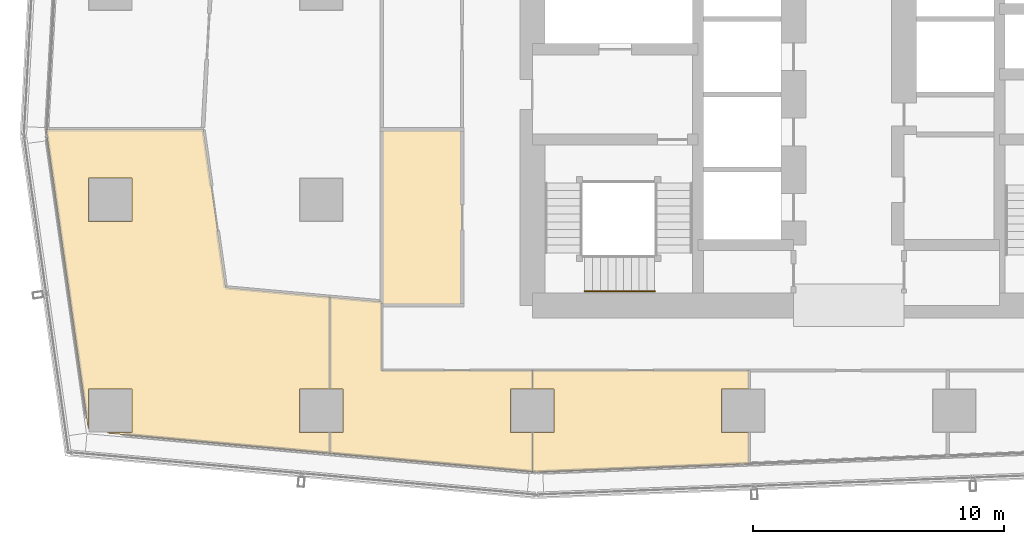
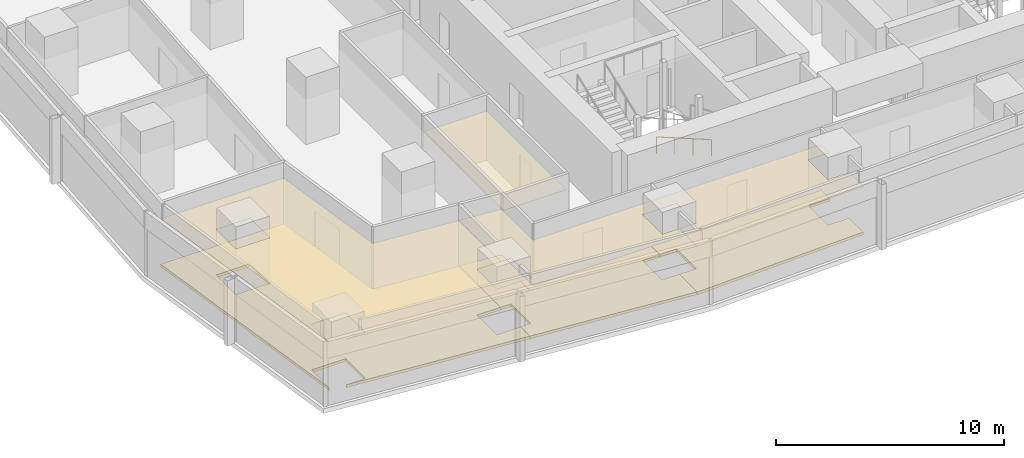
# One storey, part 33 of 40: 7 coverings, 1 railing.
"""IFC4 building model written with IfcOpenShell, lengths in metres."""

import ifcopenshell
import ifcopenshell.guid

model = None  # the IFC model being written
_history = None  # IfcOwnerHistory: only IFC2X3 demands one
_inside = {}  # id of a spatial element -> (the spatial element, [elements in it])
_under = {}  # id of a project, library or spatial element -> (it, [spatial elements below it])
_declared = {}  # id of a project -> (the project, [libraries it declares])
_typed = {}  # id of a type object -> (the type object, [elements of that type])
_made_of = {}  # id of a material, layer set ... -> (it, [elements and type objects made of it])


def new_model(schema):
    """Start an empty IFC model of exactly this schema.

    Asked for "IFC4X3", IfcOpenShell would pick the latest addendum, in which some entities
    have other attributes; the version numbers below select the first issue.
    IFC2X3 requires an IfcOwnerHistory on every rooted entity: one is made here for all.
    """
    global model, _history
    if schema == "IFC4X3":
        model = ifcopenshell.file(schema_version=(4, 3, 0, 0))
    else:
        model = ifcopenshell.file(schema=schema)
    _inside.clear()
    _under.clear()
    _declared.clear()
    _typed.clear()
    _made_of.clear()
    _history = None
    if model.schema == "IFC2X3":
        org = make("IfcOrganization", Name="unknown")
        user = make(
            "IfcPersonAndOrganization",
            ThePerson=make("IfcPerson", FamilyName="unknown"),
            TheOrganization=org,
        )
        app = make(
            "IfcApplication",
            ApplicationDeveloper=org,
            Version="unknown",
            ApplicationFullName="unknown",
            ApplicationIdentifier="unknown",
        )
        _history = make(
            "IfcOwnerHistory",
            OwningUser=user,
            OwningApplication=app,
            ChangeAction="ADDED",
            CreationDate=0,
        )
    return model


def make(cls, **values):
    """One entity of the class cls with the attributes given. An attribute that is None is left unset."""
    return model.create_entity(
        cls, **{name: value for name, value in values.items() if value is not None}
    )


def rooted(cls, **values):
    """An entity with a GlobalId (a new one), such as an element, a storey or a relation."""
    return make(cls, GlobalId=ifcopenshell.guid.new(), OwnerHistory=_history, **values)


def si_unit(unit_type, name, prefix=None):
    """IfcSIUnit, for example si_unit("LENGTHUNIT", "METRE", prefix="MILLI")."""
    return make("IfcSIUnit", UnitType=unit_type, Prefix=prefix, Name=name)


def assignment(units):
    """IfcUnitAssignment: the units of a project."""
    return None if units is None else make("IfcUnitAssignment", Units=units)


def point(xyz):
    """IfcCartesianPoint."""
    return None if xyz is None else make("IfcCartesianPoint", Coordinates=xyz)


def direction(xyz):
    """IfcDirection."""
    return None if xyz is None else make("IfcDirection", DirectionRatios=xyz)


def frame(location, z_axis=None, x_axis=None):
    """IfcAxis2Placement3D, a coordinate frame: its origin and axes. An axis left out is left unset."""
    return make(
        "IfcAxis2Placement3D",
        Location=point(location),
        Axis=direction(z_axis),
        RefDirection=direction(x_axis),
    )


def frame_2d(location, x_axis=None):
    """IfcAxis2Placement2D, a coordinate frame in the plane: its origin and x axis."""
    return make(
        "IfcAxis2Placement2D", Location=point(location), RefDirection=direction(x_axis)
    )


def origin():
    """The frame at (0, 0, 0) with its axes left unset."""
    return frame((0.0, 0.0, 0.0))


def origin_2d():
    """The frame at (0, 0) in the plane with its x axis left unset."""
    return frame_2d((0.0, 0.0))


def place(relative_to, where):
    """IfcLocalPlacement: puts the frame where relative to a parent placement (None: the world)."""
    return make(
        "IfcLocalPlacement", PlacementRelTo=relative_to, RelativePlacement=where
    )


def context(
    kind, dimensions, precision=None, world=None, true_north=None, identifier=None
):
    """IfcGeometricRepresentationContext, for example the 3D "Model" context."""
    return make(
        "IfcGeometricRepresentationContext",
        ContextIdentifier=identifier,
        ContextType=kind,
        CoordinateSpaceDimension=dimensions,
        Precision=precision,
        WorldCoordinateSystem=world,
        TrueNorth=true_north,
    )


def subcontext(parent, identifier, kind, view, scale=None):
    """IfcGeometricRepresentationSubContext, for example "Body" below "Model"."""
    return make(
        "IfcGeometricRepresentationSubContext",
        ContextIdentifier=identifier,
        ContextType=kind,
        ParentContext=parent,
        TargetScale=scale,
        TargetView=view,
    )


def project(units=None, contexts=None):
    """IfcProject with its units and contexts."""
    return rooted(
        "IfcProject",
        Name="project",
        RepresentationContexts=contexts,
        UnitsInContext=assignment(units),
    )


def spatial(cls, under=None, at=None, **own):
    """A site, building, storey or space (cls), placed at a placement, below another one or the project."""
    s = rooted(cls, ObjectPlacement=at, **own)
    if under is not None:
        _under.setdefault(under.id(), (under, []))[1].append(s)
    return s


def polyline(points):
    """IfcPolyline through the points."""
    return make("IfcPolyline", Points=[point(p) for p in points])


def profile(cls, at=None, kind="AREA", **sizes):
    """A parametric profile (cls). Its sizes go by their IFC names, for example OverallWidth=200.0."""
    return make(cls, ProfileType=kind, Position=at, **sizes)


def circle(**sizes):
    """IfcCircleProfileDef."""
    return profile("IfcCircleProfileDef", **sizes)


def outline(outer, holes=None, kind="AREA"):
    """IfcArbitraryClosedProfileDef: a profile drawn as a closed curve; with holes, ...WithVoids."""
    if holes is None:
        return make("IfcArbitraryClosedProfileDef", ProfileType=kind, OuterCurve=outer)
    return make(
        "IfcArbitraryProfileDefWithVoids",
        ProfileType=kind,
        OuterCurve=outer,
        InnerCurves=holes,
    )


def extrude(swept, where, along, depth):
    """IfcExtrudedAreaSolid: the profile swept, set in the frame where, extruded along a direction by depth."""
    return make(
        "IfcExtrudedAreaSolid",
        SweptArea=swept,
        Position=where,
        ExtrudedDirection=direction(along),
        Depth=depth,
    )


def shape(context_of_items, identifier, shape_type, items):
    """IfcShapeRepresentation: the items that make up one representation, for example the "Body"."""
    return make(
        "IfcShapeRepresentation",
        ContextOfItems=context_of_items,
        RepresentationIdentifier=identifier,
        RepresentationType=shape_type,
        Items=items,
    )


def material(Name=None, Category=None):
    """IfcMaterial."""
    return make("IfcMaterial", Name=Name, Category=Category)


def layer(
    of_material, thickness, ventilated=None, Name=None, Category=None, Priority=None
):
    """IfcMaterialLayer: one layer of a wall or slab, of a material (None: an air gap)."""
    return make(
        "IfcMaterialLayer",
        Material=of_material,
        LayerThickness=thickness,
        IsVentilated=ventilated,
        Name=Name,
        Category=Category,
        Priority=Priority,
    )


def layer_set(layers, Name=None):
    """IfcMaterialLayerSet."""
    return make("IfcMaterialLayerSet", MaterialLayers=layers, LayerSetName=Name)


def made_of(thing, what):
    """Note that an element or type object is made of a material, layer set ...; save() writes the relation."""
    if what is not None:
        _made_of.setdefault(what.id(), (what, []))[1].append(thing)
    return thing


def type_object(cls, material=None, **own):
    """A type object (cls), such as IfcWallType, which elements share."""
    return made_of(rooted(cls, **own), material)


def element(
    cls,
    number,
    at=None,
    inside=None,
    cuts=None,
    type_object=None,
    material=None,
    context=None,
    identifier="Body",
    shape_type=None,
    held_by="IfcProductDefinitionShape",
    body=None,
    shapes=None,
    **own,
):
    """One element of the class cls, such as IfcWall. Its Tag is "e" and its number.

    at: its placement. inside: the storey or other place that contains it. cuts: it is an
    opening in that element (IfcRelVoidsElement). A single representation is given by context,
    identifier, shape_type and body (its items); several are given by shapes. held_by: the class
    of the entity that holds the representations. save() writes the other relations.
    """
    e = rooted(cls, Tag="e%d" % number, ObjectPlacement=at, **own)
    if body is not None:
        shapes = [shape(context, identifier, shape_type, body)]
    if shapes is not None:
        e.Representation = make(held_by, Representations=shapes)
    if inside is not None:
        _inside.setdefault(inside.id(), (inside, []))[1].append(e)
    if cuts is not None:
        rooted(
            "IfcRelVoidsElement", RelatingBuildingElement=cuts, RelatedOpeningElement=e
        )
    if type_object is not None:
        _typed.setdefault(type_object.id(), (type_object, []))[1].append(e)
    return made_of(e, material)


def aggregate(whole, parts):
    """IfcRelAggregates: a whole, such as a stair, and the parts it consists of."""
    return rooted("IfcRelAggregates", RelatingObject=whole, RelatedObjects=parts)


def save(model, path):
    """Write the relations noted so far, then the file.

    IfcRelAggregates (storeys below a building ...), IfcRelContainedInSpatialStructure (elements
    in a storey), IfcRelDefinesByType, IfcRelAssociatesMaterial and IfcRelDeclares: one each for
    every whole, place, type object, material and project.
    """
    for whole, parts in _under.values():
        aggregate(whole, parts)
    for where, things in _inside.values():
        rooted(
            "IfcRelContainedInSpatialStructure",
            RelatedElements=things,
            RelatingStructure=where,
        )
    for kind, things in _typed.values():
        rooted("IfcRelDefinesByType", RelatedObjects=things, RelatingType=kind)
    for what, things in _made_of.values():
        rooted("IfcRelAssociatesMaterial", RelatedObjects=things, RelatingMaterial=what)
    for by, libraries in _declared.values():
        rooted("IfcRelDeclares", RelatingContext=by, RelatedDefinitions=libraries)
    model.write(path)


model = new_model("IFC4")

# Units and contexts
model_context = context("Model", 3, precision=1e-05, world=origin(), true_north=direction((0.0, 1.0)))
body_context = subcontext(model_context, "Body", "Model", "MODEL_VIEW")
ifc_project = project(units=[si_unit("LENGTHUNIT", "METRE"), si_unit("AREAUNIT", "SQUARE_METRE"), si_unit("VOLUMEUNIT", "CUBIC_METRE"), si_unit("PLANEANGLEUNIT", "RADIAN"), si_unit("MASSUNIT", "GRAM", prefix="KILO")], contexts=[model_context])

# Site, building, storey
site_placement = place(None, origin())
site = spatial("IfcSite", under=ifc_project, at=site_placement, CompositionType="ELEMENT")
building_placement = place(site_placement, origin())
building = spatial("IfcBuilding", under=site, at=building_placement, Name="Rekha Terrace Tower", CompositionType="ELEMENT")
storey_placement = place(building_placement, frame((0.0, 0.0, 99.050048828125)))
storey = spatial("IfcBuildingStorey", under=building, at=storey_placement, Name="L24", CompositionType="ELEMENT", Elevation=99.050048828125)

# Coverings
ifc_material_1 = material(Name="Mineral fibre tile in exposed grid", Category="finish")
ifc_layer_1 = layer(ifc_material_1, 0.02001953125)
ifc_layer_set_1 = layer_set([ifc_layer_1], Name="Mineral fibre tile in exposed grid")
covering_type_1 = type_object("IfcCoveringType", Name="CL1 600x1200 office grid ceiling", PredefinedType="CEILING", material=ifc_layer_set_1)
covering_1_placement = place(storey_placement, frame((0.0, 0.0, 2.579833984375)))
element("IfcCovering", 1, at=covering_1_placement, inside=storey, type_object=covering_type_1, Name="Ceiling L24-15", PredefinedType="CEILING", context=body_context, shape_type="SweptSolid", body=[
    extrude(outline(polyline([(7.514892578125, 16.096923828125), (7.534912109375, 16.097900390625), (7.534912109375, 17.6650390625), (9.264892578125, 17.6650390625), (9.264892578125, 15.93505859375), (8.283935546875, 15.93505859375), (8.282958984375, 15.912109375), (17.134033203125, 15.10791015625), (17.134033203125, 15.93505859375), (15.93505859375, 15.93505859375), (15.93505859375, 17.6650390625), (17.134033203125, 17.6650390625), (17.134033203125, 21.3330078125), (12.986083984375, 21.7099609375), (12.09912109375, 27.9990234375), (5.837890625, 27.9990234375), (7.514892578125, 16.096923828125)]), holes=[polyline([(9.264892578125, 24.3349609375), (7.534912109375, 24.3349609375), (7.534912109375, 26.06494140625), (9.264892578125, 26.06494140625), (9.264892578125, 24.3349609375)])]), origin(), (0.0, 0.0, 1.0), 0.02001953125),
])
covering_2_placement = place(storey_placement, frame((0.0, 0.0, 2.579833984375)))
element("IfcCovering", 2, at=covering_2_placement, inside=storey, type_object=covering_type_1, Name="Ceiling L24-16", PredefinedType="CEILING", context=body_context, shape_type="SweptSolid", body=[
    extrude(outline(polyline([(24.3349609375, 17.6650390625), (25.200927734375, 17.6650390625), (25.200927734375, 18.39990234375), (19.199951171875, 18.39990234375), (19.199951171875, 21.14599609375), (17.135009765625, 21.3330078125), (17.135009765625, 17.6650390625), (17.6650390625, 17.6650390625), (17.6650390625, 15.93505859375), (17.135009765625, 15.93505859375), (17.135009765625, 15.10791015625), (25.200927734375, 14.375), (25.200927734375, 15.93505859375), (24.3349609375, 15.93505859375), (24.3349609375, 17.6650390625)])), origin(), (0.0, 0.0, 1.0), 0.02001953125),
])
covering_3_placement = place(storey_placement, frame((0.0, 0.0, 2.579833984375)))
element("IfcCovering", 3, at=covering_3_placement, inside=storey, type_object=covering_type_1, Name="Ceiling L24-17", PredefinedType="CEILING", context=body_context, shape_type="SweptSolid", body=[
    extrude(outline(polyline([(33.824951171875, 17.6650390625), (33.824951171875, 18.39990234375), (25.201904296875, 18.39990234375), (25.201904296875, 17.6650390625), (26.06494140625, 17.6650390625), (26.06494140625, 15.93505859375), (25.201904296875, 15.93505859375), (25.201904296875, 14.35595703125), (33.824951171875, 14.69189453125), (33.824951171875, 15.93505859375), (32.735107421875, 15.93505859375), (32.735107421875, 17.6650390625), (33.824951171875, 17.6650390625)])), origin(), (0.0, 0.0, 1.0), 0.02001953125),
])
ifc_material_2 = material(Name="Fibre cement board", Category="finish")
ifc_layer_2 = layer(ifc_material_2, 0.014892578125)
ifc_layer_set_2 = layer_set([ifc_layer_2], Name="Fibre cement board")
covering_type_2 = type_object("IfcCoveringType", Name="CL2 moisture-resistant board ceiling", PredefinedType="CEILING", material=ifc_layer_set_2)
covering_4_placement = place(storey_placement, frame((0.0, 0.0, 2.5849609375)))
element("IfcCovering", 4, at=covering_4_placement, inside=storey, type_object=covering_type_2, Name="Ceiling L24-WCM", PredefinedType="CEILING", context=body_context, shape_type="SweptSolid", body=[
    extrude(outline(polyline([(22.39990234375, 28.0), (19.199951171875, 28.0), (19.199951171875, 21.0), (22.39990234375, 21.0), (22.39990234375, 28.0)])), origin(), (0.0, 0.0, 1.0), 0.014892578125),
])

# Railing
ifc_material_3 = material(Name="Stainless steel tube", Category="steel")
railing_type = type_object("IfcRailingType", Name="HR1 900 stair handrail", PredefinedType="HANDRAIL", material=ifc_material_3)
railing_placement = place(storey_placement, frame((30.074951171875, 21.56005859375, 1.375)))
element("IfcRailing", 5, at=railing_placement, inside=storey, type_object=railing_type, Name="Handrail ST1 L24 flight 2", PredefinedType="HANDRAIL", context=body_context, shape_type="SweptSolid", body=[
    extrude(circle(Radius=0.02392578125, at=origin_2d()), frame((0.0, 0.0, 0.8759765625), z_axis=(-0.927443287984, 0.0, 0.373963831907), x_axis=(0.0, -1.0, 0.0)), (0.0, 0.0, 1.0), 3.00830078125),
    extrude(circle(Radius=0.02099609375, at=origin_2d()), origin(), (0.0, 0.0, 1.0), 0.851806640625),
    extrude(circle(Radius=0.02099609375, at=origin_2d()), frame((-0.929931640625, 0.0, 0.375)), (0.0, 0.0, 1.0), 0.851806640625),
    extrude(circle(Radius=0.02099609375, at=origin_2d()), frame((-1.860107421875, 0.0, 0.75)), (0.0, 0.0, 1.0), 0.851806640625),
    extrude(circle(Radius=0.02099609375, at=origin_2d()), frame((-2.7900390625, 0.0, 1.125)), (0.0, 0.0, 1.0), 0.851806640625),
])

# Coverings
ifc_material_4 = material(Name="Calcium sulphate panels on steel pedestals", Category="steel")
ifc_layer_3 = layer(ifc_material_4, 0.14990234375)
ifc_layer_set_3 = layer_set([ifc_layer_3], Name="Calcium sulphate panels on steel pedestals")
covering_type_3 = type_object("IfcCoveringType", Name="RF1 150 raised access floor", PredefinedType="FLOORING", material=ifc_layer_set_3)
covering_5_placement = place(storey_placement, origin())
element("IfcCovering", 6, at=covering_5_placement, inside=storey, type_object=covering_type_3, Name="Raised floor L24-15", PredefinedType="FLOORING", context=body_context, shape_type="SweptSolid", body=[
    extrude(outline(polyline([(7.514892578125, 16.096923828125), (7.534912109375, 16.097900390625), (7.534912109375, 17.6650390625), (9.264892578125, 17.6650390625), (9.264892578125, 15.93505859375), (8.283935546875, 15.93505859375), (8.282958984375, 15.912109375), (17.134033203125, 15.10791015625), (17.134033203125, 15.93505859375), (15.93505859375, 15.93505859375), (15.93505859375, 17.6650390625), (17.134033203125, 17.6650390625), (17.134033203125, 21.3330078125), (12.986083984375, 21.7099609375), (12.09912109375, 27.9990234375), (5.837890625, 27.9990234375), (7.514892578125, 16.096923828125)]), holes=[polyline([(9.264892578125, 24.3349609375), (7.534912109375, 24.3349609375), (7.534912109375, 26.06494140625), (9.264892578125, 26.06494140625), (9.264892578125, 24.3349609375)])]), origin(), (0.0, 0.0, 1.0), 0.14990234375),
])
covering_6_placement = place(storey_placement, origin())
element("IfcCovering", 7, at=covering_6_placement, inside=storey, type_object=covering_type_3, Name="Raised floor L24-16", PredefinedType="FLOORING", context=body_context, shape_type="SweptSolid", body=[
    extrude(outline(polyline([(24.3349609375, 17.6650390625), (25.200927734375, 17.6650390625), (25.200927734375, 18.39990234375), (19.199951171875, 18.39990234375), (19.199951171875, 21.14599609375), (17.135009765625, 21.3330078125), (17.135009765625, 17.6650390625), (17.6650390625, 17.6650390625), (17.6650390625, 15.93505859375), (17.135009765625, 15.93505859375), (17.135009765625, 15.10791015625), (25.200927734375, 14.375), (25.200927734375, 15.93505859375), (24.3349609375, 15.93505859375), (24.3349609375, 17.6650390625)])), origin(), (0.0, 0.0, 1.0), 0.14990234375),
])
covering_7_placement = place(storey_placement, origin())
element("IfcCovering", 8, at=covering_7_placement, inside=storey, type_object=covering_type_3, Name="Raised floor L24-17", PredefinedType="FLOORING", context=body_context, shape_type="SweptSolid", body=[
    extrude(outline(polyline([(33.824951171875, 17.6650390625), (33.824951171875, 18.39990234375), (25.201904296875, 18.39990234375), (25.201904296875, 17.6650390625), (26.06494140625, 17.6650390625), (26.06494140625, 15.93505859375), (25.201904296875, 15.93505859375), (25.201904296875, 14.35595703125), (33.824951171875, 14.69189453125), (33.824951171875, 15.93505859375), (32.735107421875, 15.93505859375), (32.735107421875, 17.6650390625), (33.824951171875, 17.6650390625)])), origin(), (0.0, 0.0, 1.0), 0.14990234375),
])

save(model, "model.ifc")
